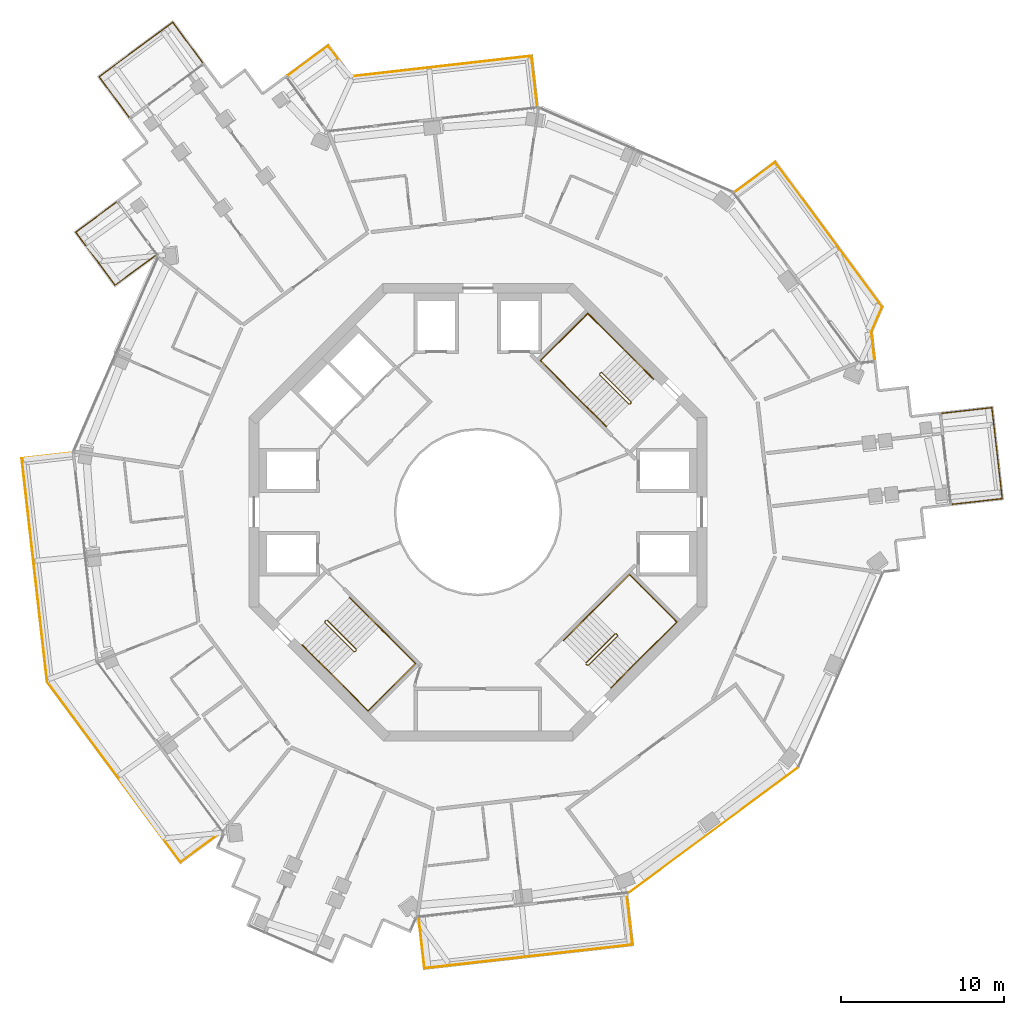
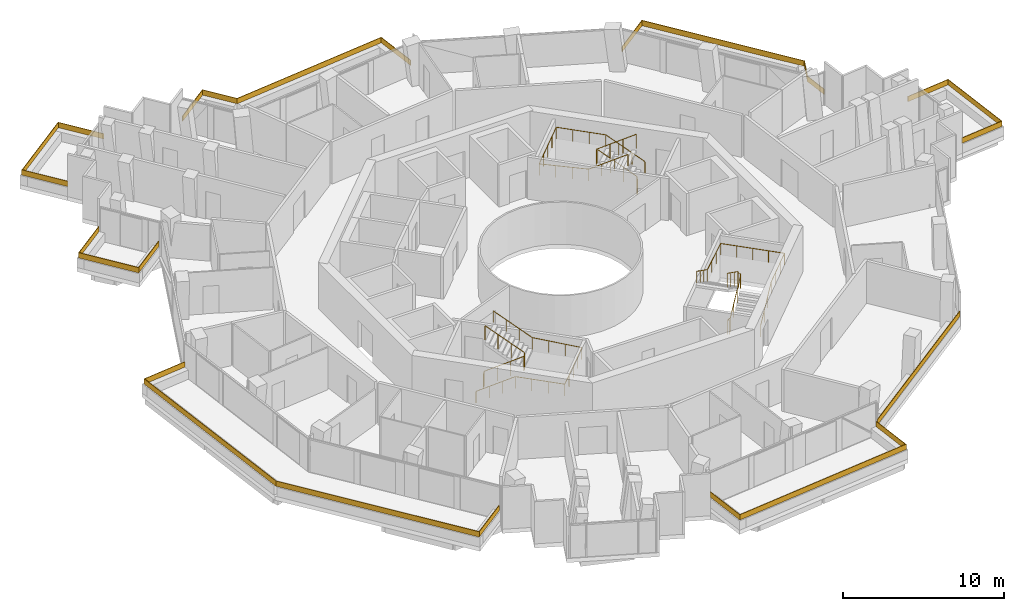
# One storey, part 23 of 23: 14 railings.
"""IFC4 building model written with IfcOpenShell, lengths in metres."""

import ifcopenshell
import ifcopenshell.guid

model = None  # the IFC model being written
_history = None  # IfcOwnerHistory: only IFC2X3 demands one
_inside = {}  # id of a spatial element -> (the spatial element, [elements in it])
_under = {}  # id of a project, library or spatial element -> (it, [spatial elements below it])
_declared = {}  # id of a project -> (the project, [libraries it declares])
_typed = {}  # id of a type object -> (the type object, [elements of that type])
_made_of = {}  # id of a material, layer set ... -> (it, [elements and type objects made of it])


def new_model(schema):
    """Start an empty IFC model of exactly this schema.

    Asked for "IFC4X3", IfcOpenShell would pick the latest addendum, in which some entities
    have other attributes; the version numbers below select the first issue.
    IFC2X3 requires an IfcOwnerHistory on every rooted entity: one is made here for all.
    """
    global model, _history
    if schema == "IFC4X3":
        model = ifcopenshell.file(schema_version=(4, 3, 0, 0))
    else:
        model = ifcopenshell.file(schema=schema)
    _inside.clear()
    _under.clear()
    _declared.clear()
    _typed.clear()
    _made_of.clear()
    _history = None
    if model.schema == "IFC2X3":
        org = make("IfcOrganization", Name="unknown")
        user = make(
            "IfcPersonAndOrganization",
            ThePerson=make("IfcPerson", FamilyName="unknown"),
            TheOrganization=org,
        )
        app = make(
            "IfcApplication",
            ApplicationDeveloper=org,
            Version="unknown",
            ApplicationFullName="unknown",
            ApplicationIdentifier="unknown",
        )
        _history = make(
            "IfcOwnerHistory",
            OwningUser=user,
            OwningApplication=app,
            ChangeAction="ADDED",
            CreationDate=0,
        )
    return model


def make(cls, **values):
    """One entity of the class cls with the attributes given. An attribute that is None is left unset."""
    return model.create_entity(
        cls, **{name: value for name, value in values.items() if value is not None}
    )


def rooted(cls, **values):
    """An entity with a GlobalId (a new one), such as an element, a storey or a relation."""
    return make(cls, GlobalId=ifcopenshell.guid.new(), OwnerHistory=_history, **values)


def si_unit(unit_type, name, prefix=None):
    """IfcSIUnit, for example si_unit("LENGTHUNIT", "METRE", prefix="MILLI")."""
    return make("IfcSIUnit", UnitType=unit_type, Prefix=prefix, Name=name)


def assignment(units):
    """IfcUnitAssignment: the units of a project."""
    return None if units is None else make("IfcUnitAssignment", Units=units)


def point(xyz):
    """IfcCartesianPoint."""
    return None if xyz is None else make("IfcCartesianPoint", Coordinates=xyz)


def direction(xyz):
    """IfcDirection."""
    return None if xyz is None else make("IfcDirection", DirectionRatios=xyz)


def frame(location, z_axis=None, x_axis=None):
    """IfcAxis2Placement3D, a coordinate frame: its origin and axes. An axis left out is left unset."""
    return make(
        "IfcAxis2Placement3D",
        Location=point(location),
        Axis=direction(z_axis),
        RefDirection=direction(x_axis),
    )


def frame_2d(location, x_axis=None):
    """IfcAxis2Placement2D, a coordinate frame in the plane: its origin and x axis."""
    return make(
        "IfcAxis2Placement2D", Location=point(location), RefDirection=direction(x_axis)
    )


def origin():
    """The frame at (0, 0, 0) with its axes left unset."""
    return frame((0.0, 0.0, 0.0))


def origin_2d():
    """The frame at (0, 0) in the plane with its x axis left unset."""
    return frame_2d((0.0, 0.0))


def place(relative_to, where):
    """IfcLocalPlacement: puts the frame where relative to a parent placement (None: the world)."""
    return make(
        "IfcLocalPlacement", PlacementRelTo=relative_to, RelativePlacement=where
    )


def context(
    kind, dimensions, precision=None, world=None, true_north=None, identifier=None
):
    """IfcGeometricRepresentationContext, for example the 3D "Model" context."""
    return make(
        "IfcGeometricRepresentationContext",
        ContextIdentifier=identifier,
        ContextType=kind,
        CoordinateSpaceDimension=dimensions,
        Precision=precision,
        WorldCoordinateSystem=world,
        TrueNorth=true_north,
    )


def subcontext(parent, identifier, kind, view, scale=None):
    """IfcGeometricRepresentationSubContext, for example "Body" below "Model"."""
    return make(
        "IfcGeometricRepresentationSubContext",
        ContextIdentifier=identifier,
        ContextType=kind,
        ParentContext=parent,
        TargetScale=scale,
        TargetView=view,
    )


def project(units=None, contexts=None):
    """IfcProject with its units and contexts."""
    return rooted(
        "IfcProject",
        Name="project",
        RepresentationContexts=contexts,
        UnitsInContext=assignment(units),
    )


def spatial(cls, under=None, at=None, **own):
    """A site, building, storey or space (cls), placed at a placement, below another one or the project."""
    s = rooted(cls, ObjectPlacement=at, **own)
    if under is not None:
        _under.setdefault(under.id(), (under, []))[1].append(s)
    return s


def polyline(points):
    """IfcPolyline through the points."""
    return make("IfcPolyline", Points=[point(p) for p in points])


def profile(cls, at=None, kind="AREA", **sizes):
    """A parametric profile (cls). Its sizes go by their IFC names, for example OverallWidth=200.0."""
    return make(cls, ProfileType=kind, Position=at, **sizes)


def rectangle(**sizes):
    """IfcRectangleProfileDef."""
    return profile("IfcRectangleProfileDef", **sizes)


def circle(**sizes):
    """IfcCircleProfileDef."""
    return profile("IfcCircleProfileDef", **sizes)


def outline(outer, holes=None, kind="AREA"):
    """IfcArbitraryClosedProfileDef: a profile drawn as a closed curve; with holes, ...WithVoids."""
    if holes is None:
        return make("IfcArbitraryClosedProfileDef", ProfileType=kind, OuterCurve=outer)
    return make(
        "IfcArbitraryProfileDefWithVoids",
        ProfileType=kind,
        OuterCurve=outer,
        InnerCurves=holes,
    )


def extrude(swept, where, along, depth):
    """IfcExtrudedAreaSolid: the profile swept, set in the frame where, extruded along a direction by depth."""
    return make(
        "IfcExtrudedAreaSolid",
        SweptArea=swept,
        Position=where,
        ExtrudedDirection=direction(along),
        Depth=depth,
    )


def shape(context_of_items, identifier, shape_type, items):
    """IfcShapeRepresentation: the items that make up one representation, for example the "Body"."""
    return make(
        "IfcShapeRepresentation",
        ContextOfItems=context_of_items,
        RepresentationIdentifier=identifier,
        RepresentationType=shape_type,
        Items=items,
    )


def material(Name=None, Category=None):
    """IfcMaterial."""
    return make("IfcMaterial", Name=Name, Category=Category)


def layer(
    of_material, thickness, ventilated=None, Name=None, Category=None, Priority=None
):
    """IfcMaterialLayer: one layer of a wall or slab, of a material (None: an air gap)."""
    return make(
        "IfcMaterialLayer",
        Material=of_material,
        LayerThickness=thickness,
        IsVentilated=ventilated,
        Name=Name,
        Category=Category,
        Priority=Priority,
    )


def layer_set(layers, Name=None):
    """IfcMaterialLayerSet."""
    return make("IfcMaterialLayerSet", MaterialLayers=layers, LayerSetName=Name)


def made_of(thing, what):
    """Note that an element or type object is made of a material, layer set ...; save() writes the relation."""
    if what is not None:
        _made_of.setdefault(what.id(), (what, []))[1].append(thing)
    return thing


def type_object(cls, material=None, **own):
    """A type object (cls), such as IfcWallType, which elements share."""
    return made_of(rooted(cls, **own), material)


def element(
    cls,
    number,
    at=None,
    inside=None,
    cuts=None,
    type_object=None,
    material=None,
    context=None,
    identifier="Body",
    shape_type=None,
    held_by="IfcProductDefinitionShape",
    body=None,
    shapes=None,
    **own,
):
    """One element of the class cls, such as IfcWall. Its Tag is "e" and its number.

    at: its placement. inside: the storey or other place that contains it. cuts: it is an
    opening in that element (IfcRelVoidsElement). A single representation is given by context,
    identifier, shape_type and body (its items); several are given by shapes. held_by: the class
    of the entity that holds the representations. save() writes the other relations.
    """
    e = rooted(cls, Tag="e%d" % number, ObjectPlacement=at, **own)
    if body is not None:
        shapes = [shape(context, identifier, shape_type, body)]
    if shapes is not None:
        e.Representation = make(held_by, Representations=shapes)
    if inside is not None:
        _inside.setdefault(inside.id(), (inside, []))[1].append(e)
    if cuts is not None:
        rooted(
            "IfcRelVoidsElement", RelatingBuildingElement=cuts, RelatedOpeningElement=e
        )
    if type_object is not None:
        _typed.setdefault(type_object.id(), (type_object, []))[1].append(e)
    return made_of(e, material)


def aggregate(whole, parts):
    """IfcRelAggregates: a whole, such as a stair, and the parts it consists of."""
    return rooted("IfcRelAggregates", RelatingObject=whole, RelatedObjects=parts)


def save(model, path):
    """Write the relations noted so far, then the file.

    IfcRelAggregates (storeys below a building ...), IfcRelContainedInSpatialStructure (elements
    in a storey), IfcRelDefinesByType, IfcRelAssociatesMaterial and IfcRelDeclares: one each for
    every whole, place, type object, material and project.
    """
    for whole, parts in _under.values():
        aggregate(whole, parts)
    for where, things in _inside.values():
        rooted(
            "IfcRelContainedInSpatialStructure",
            RelatedElements=things,
            RelatingStructure=where,
        )
    for kind, things in _typed.values():
        rooted("IfcRelDefinesByType", RelatedObjects=things, RelatingType=kind)
    for what, things in _made_of.values():
        rooted("IfcRelAssociatesMaterial", RelatedObjects=things, RelatingMaterial=what)
    for by, libraries in _declared.values():
        rooted("IfcRelDeclares", RelatingContext=by, RelatedDefinitions=libraries)
    model.write(path)


model = new_model("IFC4")

# Units and contexts
model_context = context("Model", 3, precision=1e-05, world=origin(), true_north=direction((0.0, 1.0)))
body_context = subcontext(model_context, "Body", "Model", "MODEL_VIEW")
ifc_project = project(units=[si_unit("LENGTHUNIT", "METRE"), si_unit("AREAUNIT", "SQUARE_METRE"), si_unit("VOLUMEUNIT", "CUBIC_METRE"), si_unit("PLANEANGLEUNIT", "RADIAN"), si_unit("MASSUNIT", "GRAM", prefix="KILO")], contexts=[model_context])

# Site, building, storey
site_placement = place(None, origin())
site = spatial("IfcSite", under=ifc_project, at=site_placement, CompositionType="ELEMENT")
building_placement = place(site_placement, origin())
building = spatial("IfcBuilding", under=site, at=building_placement, Name="Verdalira Terraces Hotel", CompositionType="ELEMENT")
storey_placement = place(building_placement, frame((0.0, 0.0, 183.5)))
storey = spatial("IfcBuildingStorey", under=building, at=storey_placement, Name="L44", CompositionType="ELEMENT", Elevation=183.5)

# Railings
ifc_material_1 = material(Name="Laminated glass", Category="glass")
ifc_layer = layer(ifc_material_1, 0.0400390625)
ifc_layer_set = layer_set([ifc_layer], Name="Balcony glass guard 400")
railing_type_1 = type_object("IfcRailingType", Name="Balcony glass guard 400", PredefinedType="GUARDRAIL", material=ifc_layer_set)
railing_1_placement = place(storey_placement, frame((0.0, 0.0, 0.699951)))
element("IfcRailing", 1, at=railing_1_placement, inside=storey, type_object=railing_type_1, Name="Balcony glass guard", PredefinedType="GUARDRAIL", context=body_context, shape_type="SweptSolid", body=[
    extrude(outline(polyline([(-18.678467, 29.937012), (-23.14917, 26.631348), (-21.318604, 24.155518), (-21.35083, 24.131836), (-23.205078, 26.639648), (-18.670166, 29.99292), (-16.815918, 27.485107), (-16.8479, 27.461182), (-18.678467, 29.937012)])), origin(), (0.0, 0.0, 1.0), 0.400146),
])
railing_2_placement = place(storey_placement, frame((0.0, 0.0, 0.699951)))
element("IfcRailing", 2, at=railing_2_placement, inside=storey, type_object=railing_type_1, Name="Balcony glass guard", PredefinedType="GUARDRAIL", context=body_context, shape_type="SweptSolid", body=[
    extrude(outline(polyline([(-24.573975, 17.12085), (-22.196777, 13.906006), (-19.721191, 15.736572), (-19.697266, 15.704346), (-22.205322, 13.850098), (-24.629883, 17.12915), (-22.12207, 18.983398), (-22.098145, 18.951416), (-24.573975, 17.12085)])), origin(), (0.0, 0.0, 1.0), 0.400146),
])
railing_3_placement = place(storey_placement, frame((0.0, 0.0, 0.699951)))
element("IfcRailing", 3, at=railing_3_placement, inside=storey, type_object=railing_type_1, Name="Balcony glass guard", PredefinedType="GUARDRAIL", context=body_context, shape_type="SweptSolid", body=[
    extrude(outline(polyline([(-27.883789, 3.253906), (-26.336914, -10.36377), (-18.188721, -21.383789), (-15.712891, -19.553223), (-15.689209, -19.585205), (-18.197021, -21.439697), (-26.375488, -10.378906), (-27.927979, 3.289062), (-24.828857, 3.641113), (-24.824463, 3.601318), (-27.883789, 3.253906)])), origin(), (0.0, 0.0, 1.0), 0.400146),
])
railing_4_placement = place(storey_placement, frame((0.0, 0.0, 0.699951)))
element("IfcRailing", 4, at=railing_4_placement, inside=storey, type_object=railing_type_1, Name="Balcony glass guard", PredefinedType="GUARDRAIL", context=body_context, shape_type="SweptSolid", body=[
    extrude(outline(polyline([(-3.253906, -27.883789), (9.424561, -26.443604), (9.077148, -23.384277), (9.116699, -23.379883), (9.46875, -26.47876), (-3.289062, -27.927979), (-3.641113, -24.828857), (-3.601318, -24.824463), (-3.253906, -27.883789)])), origin(), (0.0, 0.0, 1.0), 0.400146),
])
railing_5_placement = place(storey_placement, frame((0.0, 0.0, 0.699951)))
element("IfcRailing", 5, at=railing_5_placement, inside=storey, type_object=railing_type_1, Name="Balcony glass guard", PredefinedType="GUARDRAIL", context=body_context, shape_type="SweptSolid", body=[
    extrude(outline(polyline([(32.048096, 0.842285), (31.420654, 6.366699), (28.361328, 6.019287), (28.356689, 6.058838), (31.455811, 6.410889), (32.092285, 0.806885), (28.993164, 0.455078), (28.98877, 0.494629), (32.048096, 0.842285)])), origin(), (0.0, 0.0, 1.0), 0.400146),
])
railing_6_placement = place(storey_placement, frame((0.0, 0.0, 0.699951)))
element("IfcRailing", 6, at=railing_6_placement, inside=storey, type_object=railing_type_1, Name="Balcony glass guard", PredefinedType="GUARDRAIL", context=body_context, shape_type="SweptSolid", body=[
    extrude(outline(polyline([(24.045166, 11.04834), (24.706787, 12.568604), (18.188721, 21.383789), (15.712891, 19.553223), (15.689209, 19.585205), (18.197021, 21.439697), (24.752686, 12.57373), (24.085938, 11.042236), (24.283691, 9.301025), (24.244141, 9.296387), (24.045166, 11.04834)])), origin(), (0.0, 0.0, 1.0), 0.400146),
])
railing_7_placement = place(storey_placement, frame((0.0, 0.0, 0.699951)))
element("IfcRailing", 7, at=railing_7_placement, inside=storey, type_object=railing_type_1, Name="Balcony glass guard", PredefinedType="GUARDRAIL", context=body_context, shape_type="SweptSolid", body=[
    extrude(outline(polyline([(3.253906, 27.883789), (-7.776855, 26.630859), (-9.167969, 28.512207), (-11.643799, 26.681641), (-11.66748, 26.713867), (-9.159668, 28.568115), (-7.758545, 26.673096), (3.289062, 27.927979), (3.641113, 24.828857), (3.601318, 24.824463), (3.253906, 27.883789)])), origin(), (0.0, 0.0, 1.0), 0.400146),
])
railing_8_placement = place(storey_placement, frame((14.392822, -19.465088, 0.699951), z_axis=(0.0, 0.0, 1.0), x_axis=(0.804064444, 0.594542152, 0.0)))
element("IfcRailing", 8, at=railing_8_placement, inside=storey, type_object=railing_type_1, Name="Loggia glass guard", PredefinedType="GUARDRAIL", context=body_context, shape_type="SweptSolid", body=[
    extrude(rectangle(XDim=12.840088, YDim=0.040039, at=origin_2d()), origin(), (0.0, 0.0, 1.0), 0.399902),
])
ifc_material_2 = material(Name="Stainless steel", Category="steel")
railing_type_2 = type_object("IfcRailingType", Name="Stair guard 1100", PredefinedType="GUARDRAIL", material=ifc_material_2)
railing_9_placement = place(storey_placement, frame((9.369141, 6.682129, 0.0)))
element("IfcRailing", 9, at=railing_9_placement, inside=storey, type_object=railing_type_2, Name="L44 ST1 stair guard 1", PredefinedType="GUARDRAIL", context=body_context, shape_type="SweptSolid", body=[
    extrude(circle(Radius=0.023926, at=origin_2d()), frame((0.0, 0.0, 1.076172), z_axis=(-0.707106781, -0.707106781, 0.0), x_axis=(0.707106781, -0.707106781, 0.0)), (0.0, 0.0, 1.0), 0.100098),
    extrude(circle(Radius=0.023926, at=origin_2d()), frame((-0.070801, -0.070801, 1.076172), z_axis=(0.299976798, 0.599953596, 0.741666773), x_axis=(-0.894427191, 0.447213596, 0.0)), (0.0, 0.0, 1.0), 0.236084),
    extrude(circle(Radius=0.023926, at=origin_2d()), frame((0.0, 0.070801, 1.250977), z_axis=(-0.599667044, 0.599584886, 0.529997548), x_axis=(-0.707058338, -0.707155221, 0.0)), (0.0, 0.0, 1.0), 2.97168),
    extrude(circle(Radius=0.023926, at=origin_2d()), frame((-1.781982, 1.852539, 2.826172), z_axis=(-1.0, 0.0, 0.0), x_axis=(0.0, -1.0, 0.0)), (0.0, 0.0, 1.0), 0.070557),
    extrude(circle(Radius=0.023926, at=origin_2d()), frame((-1.852539, 1.852539, 2.826172), z_axis=(-0.70832698, -0.705884473, 0.0), x_axis=(0.705884473, -0.70832698, 0.0)), (0.0, 0.0, 1.0), 0.099854),
    extrude(circle(Radius=0.023926, at=origin_2d()), frame((-1.92334, 1.781982, 2.826172), z_axis=(0.0, -0.374954687, 0.92704314), x_axis=(1.0, 0.0, 0.0)), (0.0, 0.0, 1.0), 0.188721),
    extrude(circle(Radius=0.023926, at=origin_2d()), frame((-1.92334, 1.711182, 3.000977), z_axis=(0.599637504, -0.599637504, 0.52997144), x_axis=(0.707106781, 0.707106781, 0.0)), (0.0, 0.0, 1.0), 2.97168),
    extrude(circle(Radius=0.020996, at=origin_2d()), origin(), (0.0, 0.0, 1.0), 1.052002),
    extrude(circle(Radius=0.020996, at=origin_2d()), frame((-0.070801, -0.070801, 0.0)), (0.0, 0.0, 1.0), 1.052002),
    extrude(circle(Radius=0.020996, at=origin_2d()), frame((0.0, 0.070801, 0.175049)), (0.0, 0.0, 1.0), 1.052002),
    extrude(circle(Radius=0.020996, at=origin_2d()), frame((-0.593994, 0.664795, 0.699951)), (0.0, 0.0, 1.0), 1.052002),
    extrude(circle(Radius=0.020996, at=origin_2d()), frame((-1.187988, 1.258545, 1.225098)), (0.0, 0.0, 1.0), 1.052002),
    extrude(circle(Radius=0.020996, at=origin_2d()), frame((-1.781982, 1.852539, 1.75)), (0.0, 0.0, 1.0), 1.052002),
    extrude(circle(Radius=0.020996, at=origin_2d()), frame((-1.852539, 1.852539, 1.75)), (0.0, 0.0, 1.0), 1.052002),
    extrude(circle(Radius=0.020996, at=origin_2d()), frame((-1.92334, 1.781982, 1.75)), (0.0, 0.0, 1.0), 1.052002),
    extrude(circle(Radius=0.020996, at=origin_2d()), frame((-1.92334, 1.711182, 1.925049)), (0.0, 0.0, 1.0), 1.052002),
    extrude(circle(Radius=0.020996, at=origin_2d()), frame((-1.329346, 1.117188, 2.449951)), (0.0, 0.0, 1.0), 1.052002),
    extrude(circle(Radius=0.020996, at=origin_2d()), frame((-0.735352, 0.523193, 2.975098)), (0.0, 0.0, 1.0), 1.052002),
    extrude(circle(Radius=0.020996, at=origin_2d()), frame((-0.141357, -0.070801, 3.5)), (0.0, 0.0, 1.0), 1.052002),
])
railing_10_placement = place(storey_placement, frame((-9.369141, -6.682129, 0.0)))
element("IfcRailing", 10, at=railing_10_placement, inside=storey, type_object=railing_type_2, Name="L44 ST2 stair guard 1", PredefinedType="GUARDRAIL", context=body_context, shape_type="SweptSolid", body=[
    extrude(circle(Radius=0.023926, at=origin_2d()), frame((0.0, 0.0, 1.076172), z_axis=(0.707106781, 0.707106781, 0.0), x_axis=(-0.707106781, 0.707106781, 0.0)), (0.0, 0.0, 1.0), 0.100098),
    extrude(circle(Radius=0.023926, at=origin_2d()), frame((0.070801, 0.070801, 1.076172), z_axis=(-0.299976798, -0.599953596, 0.741666773), x_axis=(0.894427191, -0.447213596, 0.0)), (0.0, 0.0, 1.0), 0.236084),
    extrude(circle(Radius=0.023926, at=origin_2d()), frame((0.0, -0.070801, 1.250977), z_axis=(0.599667044, -0.599584886, 0.529997548), x_axis=(0.707058338, 0.707155221, 0.0)), (0.0, 0.0, 1.0), 2.97168),
    extrude(circle(Radius=0.023926, at=origin_2d()), frame((1.781982, -1.852539, 2.826172), z_axis=(1.0, 0.0, 0.0), x_axis=(0.0, 1.0, 0.0)), (0.0, 0.0, 1.0), 0.070557),
    extrude(circle(Radius=0.023926, at=origin_2d()), frame((1.852539, -1.852539, 2.826172), z_axis=(0.70832698, 0.705884473, 0.0), x_axis=(-0.705884473, 0.70832698, 0.0)), (0.0, 0.0, 1.0), 0.099854),
    extrude(circle(Radius=0.023926, at=origin_2d()), frame((1.92334, -1.781982, 2.826172), z_axis=(0.0, 0.374954687, 0.92704314), x_axis=(-1.0, 0.0, 0.0)), (0.0, 0.0, 1.0), 0.188721),
    extrude(circle(Radius=0.023926, at=origin_2d()), frame((1.92334, -1.711182, 3.000977), z_axis=(-0.599637504, 0.599637504, 0.52997144), x_axis=(-0.707106781, -0.707106781, 0.0)), (0.0, 0.0, 1.0), 2.97168),
    extrude(circle(Radius=0.020996, at=origin_2d()), origin(), (0.0, 0.0, 1.0), 1.052002),
    extrude(circle(Radius=0.020996, at=origin_2d()), frame((0.070801, 0.070801, 0.0)), (0.0, 0.0, 1.0), 1.052002),
    extrude(circle(Radius=0.020996, at=origin_2d()), frame((0.0, -0.070801, 0.175049)), (0.0, 0.0, 1.0), 1.052002),
    extrude(circle(Radius=0.020996, at=origin_2d()), frame((0.593994, -0.664795, 0.699951)), (0.0, 0.0, 1.0), 1.052002),
    extrude(circle(Radius=0.020996, at=origin_2d()), frame((1.187988, -1.258545, 1.225098)), (0.0, 0.0, 1.0), 1.052002),
    extrude(circle(Radius=0.020996, at=origin_2d()), frame((1.781982, -1.852539, 1.75)), (0.0, 0.0, 1.0), 1.052002),
    extrude(circle(Radius=0.020996, at=origin_2d()), frame((1.852539, -1.852539, 1.75)), (0.0, 0.0, 1.0), 1.052002),
    extrude(circle(Radius=0.020996, at=origin_2d()), frame((1.92334, -1.781982, 1.75)), (0.0, 0.0, 1.0), 1.052002),
    extrude(circle(Radius=0.020996, at=origin_2d()), frame((1.92334, -1.711182, 1.925049)), (0.0, 0.0, 1.0), 1.052002),
    extrude(circle(Radius=0.020996, at=origin_2d()), frame((1.329346, -1.117188, 2.449951)), (0.0, 0.0, 1.0), 1.052002),
    extrude(circle(Radius=0.020996, at=origin_2d()), frame((0.735352, -0.523193, 2.975098)), (0.0, 0.0, 1.0), 1.052002),
    extrude(circle(Radius=0.020996, at=origin_2d()), frame((0.141357, 0.070801, 3.5)), (0.0, 0.0, 1.0), 1.052002),
])
railing_11_placement = place(storey_placement, frame((6.682129, -9.369141, 0.0)))
element("IfcRailing", 11, at=railing_11_placement, inside=storey, type_object=railing_type_2, Name="L44 ST3 stair guard 1", PredefinedType="GUARDRAIL", context=body_context, shape_type="SweptSolid", body=[
    extrude(circle(Radius=0.023926, at=origin_2d()), frame((0.0, 0.0, 1.076172), z_axis=(-0.707106781, 0.707106781, 0.0), x_axis=(-0.707106781, -0.707106781, 0.0)), (0.0, 0.0, 1.0), 0.100098),
    extrude(circle(Radius=0.023926, at=origin_2d()), frame((-0.070801, 0.070801, 1.076172), z_axis=(0.599953596, -0.299976798, 0.741666773), x_axis=(0.447213596, 0.894427191, 0.0)), (0.0, 0.0, 1.0), 0.236084),
    extrude(circle(Radius=0.023926, at=origin_2d()), frame((0.070801, 0.0, 1.250977), z_axis=(0.599584886, 0.599667044, 0.529997548), x_axis=(-0.707155221, 0.707058338, 0.0)), (0.0, 0.0, 1.0), 2.97168),
    extrude(circle(Radius=0.023926, at=origin_2d()), frame((1.852539, 1.781982, 2.826172), z_axis=(0.0, 1.0, 0.0), x_axis=(-1.0, 0.0, 0.0)), (0.0, 0.0, 1.0), 0.070557),
    extrude(circle(Radius=0.023926, at=origin_2d()), frame((1.852539, 1.852539, 2.826172), z_axis=(-0.705884473, 0.70832698, 0.0), x_axis=(-0.70832698, -0.705884473, 0.0)), (0.0, 0.0, 1.0), 0.099854),
    extrude(circle(Radius=0.023926, at=origin_2d()), frame((1.781982, 1.92334, 2.826172), z_axis=(-0.374954687, 0.0, 0.92704314), x_axis=(0.0, -1.0, 0.0)), (0.0, 0.0, 1.0), 0.188721),
    extrude(circle(Radius=0.023926, at=origin_2d()), frame((1.711182, 1.92334, 3.000977), z_axis=(-0.599637504, -0.599637504, 0.52997144), x_axis=(0.707106781, -0.707106781, 0.0)), (0.0, 0.0, 1.0), 2.97168),
    extrude(circle(Radius=0.020996, at=origin_2d()), origin(), (0.0, 0.0, 1.0), 1.052002),
    extrude(circle(Radius=0.020996, at=origin_2d()), frame((-0.070801, 0.070801, 0.0)), (0.0, 0.0, 1.0), 1.052002),
    extrude(circle(Radius=0.020996, at=origin_2d()), frame((0.070801, 0.0, 0.175049)), (0.0, 0.0, 1.0), 1.052002),
    extrude(circle(Radius=0.020996, at=origin_2d()), frame((0.664795, 0.593994, 0.699951)), (0.0, 0.0, 1.0), 1.052002),
    extrude(circle(Radius=0.020996, at=origin_2d()), frame((1.258545, 1.187988, 1.225098)), (0.0, 0.0, 1.0), 1.052002),
    extrude(circle(Radius=0.020996, at=origin_2d()), frame((1.852539, 1.781982, 1.75)), (0.0, 0.0, 1.0), 1.052002),
    extrude(circle(Radius=0.020996, at=origin_2d()), frame((1.852539, 1.852539, 1.75)), (0.0, 0.0, 1.0), 1.052002),
    extrude(circle(Radius=0.020996, at=origin_2d()), frame((1.781982, 1.92334, 1.75)), (0.0, 0.0, 1.0), 1.052002),
    extrude(circle(Radius=0.020996, at=origin_2d()), frame((1.711182, 1.92334, 1.925049)), (0.0, 0.0, 1.0), 1.052002),
    extrude(circle(Radius=0.020996, at=origin_2d()), frame((1.117188, 1.329346, 2.449951)), (0.0, 0.0, 1.0), 1.052002),
    extrude(circle(Radius=0.020996, at=origin_2d()), frame((0.523193, 0.735352, 2.975098)), (0.0, 0.0, 1.0), 1.052002),
    extrude(circle(Radius=0.020996, at=origin_2d()), frame((-0.070801, 0.141357, 3.5)), (0.0, 0.0, 1.0), 1.052002),
])
ifc_material_3 = material(Name="Stainless steel", Category="steel")
railing_type_3 = type_object("IfcRailingType", Name="Stair handrail 900", PredefinedType="HANDRAIL", material=ifc_material_3)
railing_12_placement = place(storey_placement, frame((10.748047, 8.131836, 0.175049)))
element("IfcRailing", 12, at=railing_12_placement, inside=storey, type_object=railing_type_3, Name="L44 ST1 stair handrail 1", PredefinedType="HANDRAIL", context=body_context, shape_type="SweptSolid", body=[
    extrude(circle(Radius=0.023926, at=origin_2d()), frame((0.0, 0.0, 0.875977), z_axis=(-0.599667044, 0.599584886, 0.529997548), x_axis=(-0.707058338, -0.707155221, 0.0)), (0.0, 0.0, 1.0), 2.97168),
    extrude(circle(Radius=0.023926, at=origin_2d()), frame((-1.781982, 1.781738, 2.450684), z_axis=(-0.707068394, 0.707145166, 0.0), x_axis=(-0.707145166, -0.707068394, 0.0)), (0.0, 0.0, 1.0), 3.180176),
    extrude(circle(Radius=0.023926, at=origin_2d()), frame((-4.030518, 4.030518, 2.450684), z_axis=(-0.707106781, -0.707106781, 0.0), x_axis=(0.707106781, -0.707106781, 0.0)), (0.0, 0.0, 1.0), 4.100098),
    extrude(circle(Radius=0.023926, at=origin_2d()), frame((-6.929688, 1.131348, 2.450684), z_axis=(0.705999616, -0.706076271, 0.054962185), x_axis=(0.707145166, 0.707068394, 0.0)), (0.0, 0.0, 1.0), 3.184814),
    extrude(circle(Radius=0.023926, at=origin_2d()), frame((-4.681152, -1.117432, 2.625977), z_axis=(0.599667044, -0.599584886, 0.529997548), x_axis=(0.707058338, 0.707155221, 0.0)), (0.0, 0.0, 1.0), 2.97168),
    extrude(circle(Radius=0.020996, at=origin_2d()), origin(), (0.0, 0.0, 1.0), 0.851807),
    extrude(circle(Radius=0.020996, at=origin_2d()), frame((-0.593994, 0.593994, 0.524902)), (0.0, 0.0, 1.0), 0.851807),
    extrude(circle(Radius=0.020996, at=origin_2d()), frame((-1.187988, 1.187744, 1.050049)), (0.0, 0.0, 1.0), 0.851807),
    extrude(circle(Radius=0.020996, at=origin_2d()), frame((-1.781982, 1.781738, 1.574951)), (0.0, 0.0, 1.0), 0.851807),
    extrude(circle(Radius=0.020996, at=origin_2d()), frame((-2.531494, 2.53125, 1.574951)), (0.0, 0.0, 1.0), 0.851807),
    extrude(circle(Radius=0.020996, at=origin_2d()), frame((-3.281006, 3.281006, 1.574951)), (0.0, 0.0, 1.0), 0.851807),
    extrude(circle(Radius=0.020996, at=origin_2d()), frame((-4.030518, 4.030518, 1.574951)), (0.0, 0.0, 1.0), 0.851807),
    extrude(circle(Radius=0.020996, at=origin_2d()), frame((-4.755371, 3.305664, 1.574951)), (0.0, 0.0, 1.0), 0.851807),
    extrude(circle(Radius=0.020996, at=origin_2d()), frame((-5.47998, 2.581055, 1.574951)), (0.0, 0.0, 1.0), 0.851807),
    extrude(circle(Radius=0.020996, at=origin_2d()), frame((-6.204834, 1.856201, 1.574951)), (0.0, 0.0, 1.0), 0.851807),
    extrude(circle(Radius=0.020996, at=origin_2d()), frame((-6.929688, 1.131348, 1.574951)), (0.0, 0.0, 1.0), 0.851807),
    extrude(circle(Radius=0.020996, at=origin_2d()), frame((-6.180176, 0.381836, 1.633301)), (0.0, 0.0, 1.0), 0.851807),
    extrude(circle(Radius=0.020996, at=origin_2d()), frame((-5.430664, -0.36792, 1.69165)), (0.0, 0.0, 1.0), 0.851807),
    extrude(circle(Radius=0.020996, at=origin_2d()), frame((-4.681152, -1.117432, 1.75)), (0.0, 0.0, 1.0), 0.851807),
    extrude(circle(Radius=0.020996, at=origin_2d()), frame((-4.087158, -1.711426, 2.274902)), (0.0, 0.0, 1.0), 0.851807),
    extrude(circle(Radius=0.020996, at=origin_2d()), frame((-3.493164, -2.305176, 2.800049)), (0.0, 0.0, 1.0), 0.851807),
    extrude(circle(Radius=0.020996, at=origin_2d()), frame((-2.89917, -2.89917, 3.324951)), (0.0, 0.0, 1.0), 0.851807),
])
railing_13_placement = place(storey_placement, frame((-10.748047, -8.131836, 0.175049)))
element("IfcRailing", 13, at=railing_13_placement, inside=storey, type_object=railing_type_3, Name="L44 ST2 stair handrail 1", PredefinedType="HANDRAIL", context=body_context, shape_type="SweptSolid", body=[
    extrude(circle(Radius=0.023926, at=origin_2d()), frame((0.0, 0.0, 0.875977), z_axis=(0.599667044, -0.599584886, 0.529997548), x_axis=(0.707058338, 0.707155221, 0.0)), (0.0, 0.0, 1.0), 2.97168),
    extrude(circle(Radius=0.023926, at=origin_2d()), frame((1.781982, -1.781738, 2.450684), z_axis=(0.707068394, -0.707145166, 0.0), x_axis=(0.707145166, 0.707068394, 0.0)), (0.0, 0.0, 1.0), 3.180176),
    extrude(circle(Radius=0.023926, at=origin_2d()), frame((4.030518, -4.030518, 2.450684), z_axis=(0.707106781, 0.707106781, 0.0), x_axis=(-0.707106781, 0.707106781, 0.0)), (0.0, 0.0, 1.0), 4.100098),
    extrude(circle(Radius=0.023926, at=origin_2d()), frame((6.929688, -1.131348, 2.450684), z_axis=(-0.705999616, 0.706076271, 0.054962185), x_axis=(-0.707145166, -0.707068394, 0.0)), (0.0, 0.0, 1.0), 3.184814),
    extrude(circle(Radius=0.023926, at=origin_2d()), frame((4.681152, 1.117432, 2.625977), z_axis=(-0.599667044, 0.599584886, 0.529997548), x_axis=(-0.707058338, -0.707155221, 0.0)), (0.0, 0.0, 1.0), 2.97168),
    extrude(circle(Radius=0.020996, at=origin_2d()), origin(), (0.0, 0.0, 1.0), 0.851807),
    extrude(circle(Radius=0.020996, at=origin_2d()), frame((0.593994, -0.593994, 0.524902)), (0.0, 0.0, 1.0), 0.851807),
    extrude(circle(Radius=0.020996, at=origin_2d()), frame((1.187988, -1.187744, 1.050049)), (0.0, 0.0, 1.0), 0.851807),
    extrude(circle(Radius=0.020996, at=origin_2d()), frame((1.781982, -1.781738, 1.574951)), (0.0, 0.0, 1.0), 0.851807),
    extrude(circle(Radius=0.020996, at=origin_2d()), frame((2.531494, -2.53125, 1.574951)), (0.0, 0.0, 1.0), 0.851807),
    extrude(circle(Radius=0.020996, at=origin_2d()), frame((3.281006, -3.281006, 1.574951)), (0.0, 0.0, 1.0), 0.851807),
    extrude(circle(Radius=0.020996, at=origin_2d()), frame((4.030518, -4.030518, 1.574951)), (0.0, 0.0, 1.0), 0.851807),
    extrude(circle(Radius=0.020996, at=origin_2d()), frame((4.755371, -3.305664, 1.574951)), (0.0, 0.0, 1.0), 0.851807),
    extrude(circle(Radius=0.020996, at=origin_2d()), frame((5.47998, -2.581055, 1.574951)), (0.0, 0.0, 1.0), 0.851807),
    extrude(circle(Radius=0.020996, at=origin_2d()), frame((6.204834, -1.856201, 1.574951)), (0.0, 0.0, 1.0), 0.851807),
    extrude(circle(Radius=0.020996, at=origin_2d()), frame((6.929688, -1.131348, 1.574951)), (0.0, 0.0, 1.0), 0.851807),
    extrude(circle(Radius=0.020996, at=origin_2d()), frame((6.180176, -0.381836, 1.633301)), (0.0, 0.0, 1.0), 0.851807),
    extrude(circle(Radius=0.020996, at=origin_2d()), frame((5.430664, 0.36792, 1.69165)), (0.0, 0.0, 1.0), 0.851807),
    extrude(circle(Radius=0.020996, at=origin_2d()), frame((4.681152, 1.117432, 1.75)), (0.0, 0.0, 1.0), 0.851807),
    extrude(circle(Radius=0.020996, at=origin_2d()), frame((4.087158, 1.711426, 2.274902)), (0.0, 0.0, 1.0), 0.851807),
    extrude(circle(Radius=0.020996, at=origin_2d()), frame((3.493164, 2.305176, 2.800049)), (0.0, 0.0, 1.0), 0.851807),
    extrude(circle(Radius=0.020996, at=origin_2d()), frame((2.89917, 2.89917, 3.324951)), (0.0, 0.0, 1.0), 0.851807),
])
railing_14_placement = place(storey_placement, frame((8.131836, -10.748047, 0.175049)))
element("IfcRailing", 14, at=railing_14_placement, inside=storey, type_object=railing_type_3, Name="L44 ST3 stair handrail 1", PredefinedType="HANDRAIL", context=body_context, shape_type="SweptSolid", body=[
    extrude(circle(Radius=0.023926, at=origin_2d()), frame((0.0, 0.0, 0.875977), z_axis=(0.599584886, 0.599667044, 0.529997548), x_axis=(-0.707155221, 0.707058338, 0.0)), (0.0, 0.0, 1.0), 2.97168),
    extrude(circle(Radius=0.023926, at=origin_2d()), frame((1.781738, 1.781982, 2.450684), z_axis=(0.707145166, 0.707068394, 0.0), x_axis=(-0.707068394, 0.707145166, 0.0)), (0.0, 0.0, 1.0), 3.180176),
    extrude(circle(Radius=0.023926, at=origin_2d()), frame((4.030518, 4.030518, 2.450684), z_axis=(-0.707106781, 0.707106781, 0.0), x_axis=(-0.707106781, -0.707106781, 0.0)), (0.0, 0.0, 1.0), 4.100098),
    extrude(circle(Radius=0.023926, at=origin_2d()), frame((1.131348, 6.929688, 2.450684), z_axis=(-0.706076271, -0.705999616, 0.054962185), x_axis=(0.707068394, -0.707145166, 0.0)), (0.0, 0.0, 1.0), 3.184814),
    extrude(circle(Radius=0.023926, at=origin_2d()), frame((-1.117432, 4.681152, 2.625977), z_axis=(-0.599584886, -0.599667044, 0.529997548), x_axis=(0.707155221, -0.707058338, 0.0)), (0.0, 0.0, 1.0), 2.97168),
    extrude(circle(Radius=0.020996, at=origin_2d()), origin(), (0.0, 0.0, 1.0), 0.851807),
    extrude(circle(Radius=0.020996, at=origin_2d()), frame((0.593994, 0.593994, 0.524902)), (0.0, 0.0, 1.0), 0.851807),
    extrude(circle(Radius=0.020996, at=origin_2d()), frame((1.187744, 1.187988, 1.050049)), (0.0, 0.0, 1.0), 0.851807),
    extrude(circle(Radius=0.020996, at=origin_2d()), frame((1.781738, 1.781982, 1.574951)), (0.0, 0.0, 1.0), 0.851807),
    extrude(circle(Radius=0.020996, at=origin_2d()), frame((2.53125, 2.531494, 1.574951)), (0.0, 0.0, 1.0), 0.851807),
    extrude(circle(Radius=0.020996, at=origin_2d()), frame((3.281006, 3.281006, 1.574951)), (0.0, 0.0, 1.0), 0.851807),
    extrude(circle(Radius=0.020996, at=origin_2d()), frame((4.030518, 4.030518, 1.574951)), (0.0, 0.0, 1.0), 0.851807),
    extrude(circle(Radius=0.020996, at=origin_2d()), frame((3.305664, 4.755371, 1.574951)), (0.0, 0.0, 1.0), 0.851807),
    extrude(circle(Radius=0.020996, at=origin_2d()), frame((2.581055, 5.47998, 1.574951)), (0.0, 0.0, 1.0), 0.851807),
    extrude(circle(Radius=0.020996, at=origin_2d()), frame((1.856201, 6.204834, 1.574951)), (0.0, 0.0, 1.0), 0.851807),
    extrude(circle(Radius=0.020996, at=origin_2d()), frame((1.131348, 6.929688, 1.574951)), (0.0, 0.0, 1.0), 0.851807),
    extrude(circle(Radius=0.020996, at=origin_2d()), frame((0.381836, 6.180176, 1.633301)), (0.0, 0.0, 1.0), 0.851807),
    extrude(circle(Radius=0.020996, at=origin_2d()), frame((-0.36792, 5.430664, 1.69165)), (0.0, 0.0, 1.0), 0.851807),
    extrude(circle(Radius=0.020996, at=origin_2d()), frame((-1.117432, 4.681152, 1.75)), (0.0, 0.0, 1.0), 0.851807),
    extrude(circle(Radius=0.020996, at=origin_2d()), frame((-1.711426, 4.087158, 2.274902)), (0.0, 0.0, 1.0), 0.851807),
    extrude(circle(Radius=0.020996, at=origin_2d()), frame((-2.305176, 3.493164, 2.800049)), (0.0, 0.0, 1.0), 0.851807),
    extrude(circle(Radius=0.020996, at=origin_2d()), frame((-2.89917, 2.89917, 3.324951)), (0.0, 0.0, 1.0), 0.851807),
])

save(model, "model.ifc")
